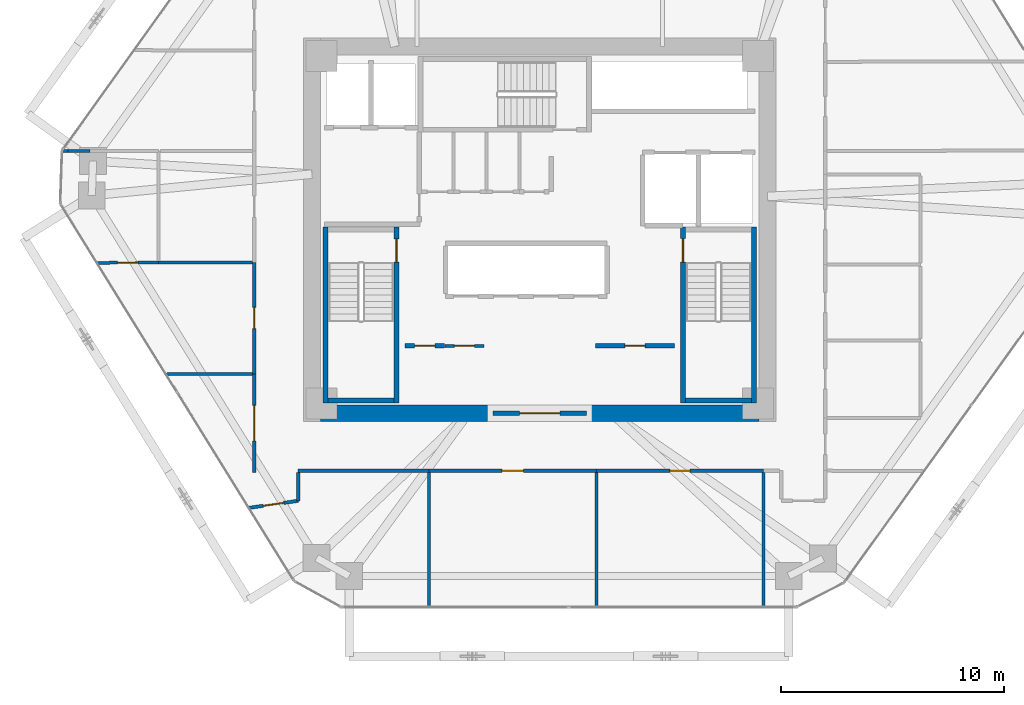
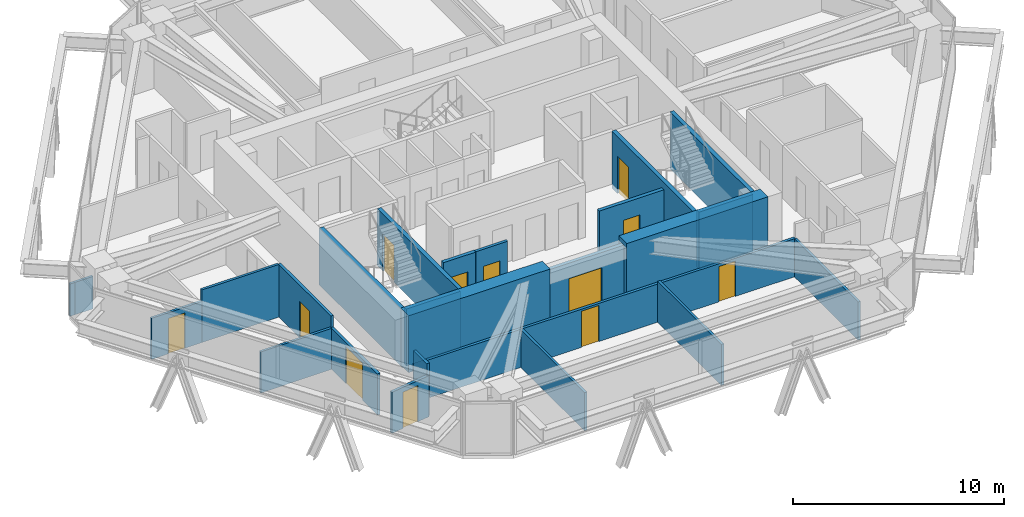
# One storey, part 12 of 16: 27 walls, 12 doors, 12 openings.
"""IFC4 building model written with IfcOpenShell, lengths in metres."""

import ifcopenshell
import ifcopenshell.guid

model = None  # the IFC model being written
_history = None  # IfcOwnerHistory: only IFC2X3 demands one
_inside = {}  # id of a spatial element -> (the spatial element, [elements in it])
_under = {}  # id of a project, library or spatial element -> (it, [spatial elements below it])
_declared = {}  # id of a project -> (the project, [libraries it declares])
_typed = {}  # id of a type object -> (the type object, [elements of that type])
_made_of = {}  # id of a material, layer set ... -> (it, [elements and type objects made of it])


def new_model(schema):
    """Start an empty IFC model of exactly this schema.

    Asked for "IFC4X3", IfcOpenShell would pick the latest addendum, in which some entities
    have other attributes; the version numbers below select the first issue.
    IFC2X3 requires an IfcOwnerHistory on every rooted entity: one is made here for all.
    """
    global model, _history
    if schema == "IFC4X3":
        model = ifcopenshell.file(schema_version=(4, 3, 0, 0))
    else:
        model = ifcopenshell.file(schema=schema)
    _inside.clear()
    _under.clear()
    _declared.clear()
    _typed.clear()
    _made_of.clear()
    _history = None
    if model.schema == "IFC2X3":
        org = make("IfcOrganization", Name="unknown")
        user = make(
            "IfcPersonAndOrganization",
            ThePerson=make("IfcPerson", FamilyName="unknown"),
            TheOrganization=org,
        )
        app = make(
            "IfcApplication",
            ApplicationDeveloper=org,
            Version="unknown",
            ApplicationFullName="unknown",
            ApplicationIdentifier="unknown",
        )
        _history = make(
            "IfcOwnerHistory",
            OwningUser=user,
            OwningApplication=app,
            ChangeAction="ADDED",
            CreationDate=0,
        )
    return model


def make(cls, **values):
    """One entity of the class cls with the attributes given. An attribute that is None is left unset."""
    return model.create_entity(
        cls, **{name: value for name, value in values.items() if value is not None}
    )


def rooted(cls, **values):
    """An entity with a GlobalId (a new one), such as an element, a storey or a relation."""
    return make(cls, GlobalId=ifcopenshell.guid.new(), OwnerHistory=_history, **values)


def si_unit(unit_type, name, prefix=None):
    """IfcSIUnit, for example si_unit("LENGTHUNIT", "METRE", prefix="MILLI")."""
    return make("IfcSIUnit", UnitType=unit_type, Prefix=prefix, Name=name)


def assignment(units):
    """IfcUnitAssignment: the units of a project."""
    return None if units is None else make("IfcUnitAssignment", Units=units)


def point(xyz):
    """IfcCartesianPoint."""
    return None if xyz is None else make("IfcCartesianPoint", Coordinates=xyz)


def direction(xyz):
    """IfcDirection."""
    return None if xyz is None else make("IfcDirection", DirectionRatios=xyz)


def frame(location, z_axis=None, x_axis=None):
    """IfcAxis2Placement3D, a coordinate frame: its origin and axes. An axis left out is left unset."""
    return make(
        "IfcAxis2Placement3D",
        Location=point(location),
        Axis=direction(z_axis),
        RefDirection=direction(x_axis),
    )


def frame_2d(location, x_axis=None):
    """IfcAxis2Placement2D, a coordinate frame in the plane: its origin and x axis."""
    return make(
        "IfcAxis2Placement2D", Location=point(location), RefDirection=direction(x_axis)
    )


def origin():
    """The frame at (0, 0, 0) with its axes left unset."""
    return frame((0.0, 0.0, 0.0))


def place(relative_to, where):
    """IfcLocalPlacement: puts the frame where relative to a parent placement (None: the world)."""
    return make(
        "IfcLocalPlacement", PlacementRelTo=relative_to, RelativePlacement=where
    )


def context(
    kind, dimensions, precision=None, world=None, true_north=None, identifier=None
):
    """IfcGeometricRepresentationContext, for example the 3D "Model" context."""
    return make(
        "IfcGeometricRepresentationContext",
        ContextIdentifier=identifier,
        ContextType=kind,
        CoordinateSpaceDimension=dimensions,
        Precision=precision,
        WorldCoordinateSystem=world,
        TrueNorth=true_north,
    )


def subcontext(parent, identifier, kind, view, scale=None):
    """IfcGeometricRepresentationSubContext, for example "Body" below "Model"."""
    return make(
        "IfcGeometricRepresentationSubContext",
        ContextIdentifier=identifier,
        ContextType=kind,
        ParentContext=parent,
        TargetScale=scale,
        TargetView=view,
    )


def project(units=None, contexts=None):
    """IfcProject with its units and contexts."""
    return rooted(
        "IfcProject",
        Name="project",
        RepresentationContexts=contexts,
        UnitsInContext=assignment(units),
    )


def spatial(cls, under=None, at=None, **own):
    """A site, building, storey or space (cls), placed at a placement, below another one or the project."""
    s = rooted(cls, ObjectPlacement=at, **own)
    if under is not None:
        _under.setdefault(under.id(), (under, []))[1].append(s)
    return s


def profile(cls, at=None, kind="AREA", **sizes):
    """A parametric profile (cls). Its sizes go by their IFC names, for example OverallWidth=200.0."""
    return make(cls, ProfileType=kind, Position=at, **sizes)


def rectangle(**sizes):
    """IfcRectangleProfileDef."""
    return profile("IfcRectangleProfileDef", **sizes)


def extrude(swept, where, along, depth):
    """IfcExtrudedAreaSolid: the profile swept, set in the frame where, extruded along a direction by depth."""
    return make(
        "IfcExtrudedAreaSolid",
        SweptArea=swept,
        Position=where,
        ExtrudedDirection=direction(along),
        Depth=depth,
    )


def shape(context_of_items, identifier, shape_type, items):
    """IfcShapeRepresentation: the items that make up one representation, for example the "Body"."""
    return make(
        "IfcShapeRepresentation",
        ContextOfItems=context_of_items,
        RepresentationIdentifier=identifier,
        RepresentationType=shape_type,
        Items=items,
    )


def source(mapping_origin, context_of_items, identifier, shape_type, items):
    """IfcRepresentationMap: a shape defined once, which mapped items show again and again."""
    return make(
        "IfcRepresentationMap",
        MappingOrigin=mapping_origin,
        MappedRepresentation=shape(context_of_items, identifier, shape_type, items),
    )


def transform(
    local_origin,
    x_axis=None,
    y_axis=None,
    z_axis=None,
    scale=None,
    scale2=None,
    scale3=None,
    uniform=True,
):
    """IfcCartesianTransformationOperator3D, or its non-uniform kind. x_axis, y_axis, z_axis: its Axis1, 2, 3."""
    if uniform:
        return make(
            "IfcCartesianTransformationOperator3D",
            Axis1=direction(x_axis),
            Axis2=direction(y_axis),
            LocalOrigin=point(local_origin),
            Scale=scale,
            Axis3=direction(z_axis),
        )
    return make(
        "IfcCartesianTransformationOperator3DnonUniform",
        Axis1=direction(x_axis),
        Axis2=direction(y_axis),
        LocalOrigin=point(local_origin),
        Scale=scale,
        Axis3=direction(z_axis),
        Scale2=scale2,
        Scale3=scale3,
    )


def mapped(mapping_source, mapping_target):
    """IfcMappedItem: shows the shape of a source again, moved by a transform."""
    return make(
        "IfcMappedItem", MappingSource=mapping_source, MappingTarget=mapping_target
    )


def material(Name=None, Category=None):
    """IfcMaterial."""
    return make("IfcMaterial", Name=Name, Category=Category)


def layer(
    of_material, thickness, ventilated=None, Name=None, Category=None, Priority=None
):
    """IfcMaterialLayer: one layer of a wall or slab, of a material (None: an air gap)."""
    return make(
        "IfcMaterialLayer",
        Material=of_material,
        LayerThickness=thickness,
        IsVentilated=ventilated,
        Name=Name,
        Category=Category,
        Priority=Priority,
    )


def layer_set(layers, Name=None):
    """IfcMaterialLayerSet."""
    return make("IfcMaterialLayerSet", MaterialLayers=layers, LayerSetName=Name)


def made_of(thing, what):
    """Note that an element or type object is made of a material, layer set ...; save() writes the relation."""
    if what is not None:
        _made_of.setdefault(what.id(), (what, []))[1].append(thing)
    return thing


def type_object(cls, material=None, **own):
    """A type object (cls), such as IfcWallType, which elements share."""
    return made_of(rooted(cls, **own), material)


def type_shapes(of_type, sources):
    """Give a type object the sources (RepresentationMaps) that its elements show as mapped items."""
    of_type.RepresentationMaps = sources


def element(
    cls,
    number,
    at=None,
    inside=None,
    cuts=None,
    type_object=None,
    material=None,
    context=None,
    identifier="Body",
    shape_type=None,
    held_by="IfcProductDefinitionShape",
    body=None,
    shapes=None,
    **own,
):
    """One element of the class cls, such as IfcWall. Its Tag is "e" and its number.

    at: its placement. inside: the storey or other place that contains it. cuts: it is an
    opening in that element (IfcRelVoidsElement). A single representation is given by context,
    identifier, shape_type and body (its items); several are given by shapes. held_by: the class
    of the entity that holds the representations. save() writes the other relations.
    """
    e = rooted(cls, Tag="e%d" % number, ObjectPlacement=at, **own)
    if body is not None:
        shapes = [shape(context, identifier, shape_type, body)]
    if shapes is not None:
        e.Representation = make(held_by, Representations=shapes)
    if inside is not None:
        _inside.setdefault(inside.id(), (inside, []))[1].append(e)
    if cuts is not None:
        rooted(
            "IfcRelVoidsElement", RelatingBuildingElement=cuts, RelatedOpeningElement=e
        )
    if type_object is not None:
        _typed.setdefault(type_object.id(), (type_object, []))[1].append(e)
    return made_of(e, material)


def fill(opening, filler):
    """IfcRelFillsElement: the door or window that sits in an opening."""
    return rooted(
        "IfcRelFillsElement",
        RelatingOpeningElement=opening,
        RelatedBuildingElement=filler,
    )


def aggregate(whole, parts):
    """IfcRelAggregates: a whole, such as a stair, and the parts it consists of."""
    return rooted("IfcRelAggregates", RelatingObject=whole, RelatedObjects=parts)


def save(model, path):
    """Write the relations noted so far, then the file.

    IfcRelAggregates (storeys below a building ...), IfcRelContainedInSpatialStructure (elements
    in a storey), IfcRelDefinesByType, IfcRelAssociatesMaterial and IfcRelDeclares: one each for
    every whole, place, type object, material and project.
    """
    for whole, parts in _under.values():
        aggregate(whole, parts)
    for where, things in _inside.values():
        rooted(
            "IfcRelContainedInSpatialStructure",
            RelatedElements=things,
            RelatingStructure=where,
        )
    for kind, things in _typed.values():
        rooted("IfcRelDefinesByType", RelatedObjects=things, RelatingType=kind)
    for what, things in _made_of.values():
        rooted("IfcRelAssociatesMaterial", RelatedObjects=things, RelatingMaterial=what)
    for by, libraries in _declared.values():
        rooted("IfcRelDeclares", RelatingContext=by, RelatedDefinitions=libraries)
    model.write(path)


model = new_model("IFC4")

# Units and contexts
model_context = context("Model", 3, precision=1e-05, world=origin(), true_north=direction((0.0, 1.0)))
body_context = subcontext(model_context, "Body", "Model", "MODEL_VIEW")
ifc_project = project(units=[si_unit("LENGTHUNIT", "METRE"), si_unit("AREAUNIT", "SQUARE_METRE"), si_unit("VOLUMEUNIT", "CUBIC_METRE"), si_unit("PLANEANGLEUNIT", "RADIAN"), si_unit("MASSUNIT", "GRAM", prefix="KILO")], contexts=[model_context])

# Site, building, storey
site_placement = place(None, origin())
site = spatial("IfcSite", under=ifc_project, at=site_placement, CompositionType="ELEMENT")
building_placement = place(site_placement, origin())
building = spatial("IfcBuilding", under=site, at=building_placement, Name="Durnholm Broadcast Tower", CompositionType="ELEMENT")
storey_placement = place(building_placement, frame((0.0, 0.0, 123.89990234375)))
storey = spatial("IfcBuildingStorey", under=building, at=storey_placement, Name="L33", CompositionType="ELEMENT", Elevation=123.89990234375)

# Walls
ifc_material_1 = material(Name="Concrete C70/85", Category="concrete")
ifc_layer_1 = layer(ifc_material_1, 0.75)
ifc_layer_set_1 = layer_set([ifc_layer_1], Name="Concrete C70/85")
wall_type_1 = type_object("IfcWallType", Name="WALL-CW-750", PredefinedType="SHEAR", material=ifc_layer_set_1)
for number, where, z_axis, x_axis, name in (
    (1, (-9.85009765625, -8.22509765625, 0.0), (0.0, 0.0, 1.0), (1.0, 0.0, 0.0), "L33 central core shear wall CW-S1"),
    (2, (2.10009765625, -8.22509765625, 0.0), (0.0, 0.0, 1.0), (1.0, 0.0, 0.0), "L33 central core shear wall CW-S2"),
):
    element("IfcWall", number, at=place(storey_placement, frame(where, z_axis=z_axis, x_axis=x_axis)), inside=storey, type_object=wall_type_1, Name=name, PredefinedType="SHEAR", context=body_context, shape_type="SweptSolid", body=[
        extrude(rectangle(XDim=7.75, YDim=0.75, at=frame_2d((3.875, 0.0))), origin(), (0.0, 0.0, 1.0), 3.300048828125),
    ])

# Wall, opening, door
ifc_material_2 = material(Name="Fire-Rated Gypsum Shaftwall", Category="concrete")
ifc_layer_2 = layer(ifc_material_2, 0.199951171875)
ifc_layer_set_2 = layer_set([ifc_layer_2], Name="Fire-Rated Gypsum Shaftwall")
wall_type_2 = type_object("IfcWallType", Name="WALL-LOB-200", PredefinedType="SOLIDWALL", material=ifc_layer_set_2)
wall_1_placement = place(storey_placement, frame((-2.10009765625, -8.22509765625, 0.0), z_axis=(0.0, 0.0, 1.0), x_axis=(1.0, 0.0, 0.0)))
wall_1 = element("IfcWall", 3, at=wall_1_placement, inside=storey, type_object=wall_type_2, Name="L33 south core lobby fire screen", PredefinedType="SOLIDWALL", context=body_context, shape_type="SweptSolid", body=[
    extrude(rectangle(XDim=4.2001953125, YDim=0.199951171875, at=frame_2d((2.10009765625, 0.0))), origin(), (0.0, 0.0, 1.0), 3.045166015625),
])
opening_1_placement = place(wall_1_placement, frame((1.199951171875, 0.0, 0.0)))
opening_1 = element("IfcOpeningElement", 4, at=opening_1_placement, cuts=wall_1, Name="Opening DP-60", PredefinedType="OPENING", context=body_context, shape_type="SweptSolid", body=[
    extrude(rectangle(XDim=1.800048828125, YDim=2.14990234375, at=frame_2d((0.89990234375, 1.074951171875))), frame((0.0, 0.10986328125, 0.0), z_axis=(0.0, -1.0, 0.0), x_axis=(1.0, 0.0, 0.0)), (0.0, 0.0, 1.0), 0.219970703125),
])
ifc_material_3 = material(Name="Fire-Rated Double Corridor Door", Category="steel")
ifc_layer_3 = layer(ifc_material_3, 0.050048828125)
ifc_layer_set_3 = layer_set([ifc_layer_3], Name="Fire-Rated Double Corridor Door")
door_type_1 = type_object("IfcDoorType", Name="DOOR-PAIR-FD60", OperationType="DOUBLE_DOOR_SINGLE_SWING", PredefinedType="DOOR", material=ifc_layer_set_3)
shared_shape_1 = source(origin(), body_context, "Body", "SweptSolid", [
    extrude(rectangle(XDim=1.800048828125, YDim=2.14990234375, at=frame_2d((0.89990234375, 1.074951171875))), frame((0.0, 0.02490234375, 0.0), z_axis=(0.0, -1.0, 0.0), x_axis=(1.0, 0.0, 0.0)), (0.0, 0.0, 1.0), 0.050048828125),
])
type_shapes(door_type_1, [shared_shape_1])
door_1_placement = place(opening_1_placement, origin())
door_1 = element("IfcDoor", 5, at=door_1_placement, inside=storey, type_object=door_type_1, Name="L33 south core lobby double fire door", OperationType="DOUBLE_DOOR_SINGLE_SWING", OverallHeight=2.14990234375, OverallWidth=1.800048828125, PredefinedType="DOOR", context=body_context, shape_type="MappedRepresentation", body=[
    mapped(shared_shape_1, transform((0.0, 0.0, 0.0), x_axis=(1.0, 0.0, 0.0), y_axis=(0.0, 1.0, 0.0), z_axis=(0.0, 0.0, 1.0), scale=1.0)),
])
fill(opening_1, door_1)

wall_2_placement = place(storey_placement, frame((-6.0400390625, -5.2099609375, 0.0), z_axis=(0.0, 0.0, 1.0), x_axis=(1.0, 0.0, 0.0)))
wall_2 = element("IfcWall", 6, at=wall_2_placement, inside=storey, type_object=wall_type_2, Name="L33 Media Fiber Patch Room corridor partition", PredefinedType="SOLIDWALL", context=body_context, shape_type="SweptSolid", body=[
    extrude(rectangle(XDim=1.760009765625, YDim=0.199951171875, at=frame_2d((0.8798828125, 0.0))), origin(), (0.0, 0.0, 1.0), 3.045166015625),
])
opening_2_placement = place(wall_2_placement, frame((0.429931640625, 0.0, 0.0)))
opening_2 = element("IfcOpeningElement", 7, at=opening_2_placement, cuts=wall_2, Name="Opening DC-60R", PredefinedType="OPENING", context=body_context, shape_type="SweptSolid", body=[
    extrude(rectangle(XDim=0.89990234375, YDim=2.050048828125, at=frame_2d((0.449951171875, 1.02490234375))), frame((0.0, 0.10986328125, 0.0), z_axis=(0.0, -1.0, 0.0), x_axis=(1.0, 0.0, 0.0)), (0.0, 0.0, 1.0), 0.219970703125),
])
ifc_material_4 = material(Name="Fire-Rated Core Service Door", Category="steel")
ifc_layer_4 = layer(ifc_material_4, 0.050048828125)
ifc_layer_set_4 = layer_set([ifc_layer_4], Name="Fire-Rated Core Service Door")
door_type_2 = type_object("IfcDoorType", Name="DOOR-CORE-FD60-R", OperationType="NOTDEFINED", PredefinedType="DOOR", material=ifc_layer_set_4)
shared_shape_2 = source(origin(), body_context, "Body", "SweptSolid", [
    extrude(rectangle(XDim=0.89990234375, YDim=2.050048828125, at=frame_2d((0.449951171875, 1.02490234375))), frame((0.0, 0.02490234375, 0.0), z_axis=(0.0, -1.0, 0.0), x_axis=(1.0, 0.0, 0.0)), (0.0, 0.0, 1.0), 0.050048828125),
])
type_shapes(door_type_2, [shared_shape_2])
door_2_placement = place(opening_2_placement, origin())
door_2 = element("IfcDoor", 8, at=door_2_placement, inside=storey, type_object=door_type_2, Name="L33 Media Fiber Patch Room entrance door", OperationType="SINGLE_SWING_RIGHT", OverallHeight=2.050048828125, OverallWidth=0.89990234375, PredefinedType="DOOR", context=body_context, shape_type="MappedRepresentation", body=[
    mapped(shared_shape_2, transform((0.0, 0.0, 0.0), x_axis=(1.0, 0.0, 0.0), y_axis=(0.0, 1.0, 0.0), z_axis=(0.0, 0.0, 1.0), scale=1.0)),
])
fill(opening_2, door_2)

wall_3_placement = place(storey_placement, frame((2.510009765625, -5.2099609375, 0.0), z_axis=(0.0, 0.0, 1.0), x_axis=(1.0, 0.0, 0.0)))
wall_3 = element("IfcWall", 9, at=wall_3_placement, inside=storey, type_object=wall_type_2, Name="L33 Telemetry Control Closet corridor partition", PredefinedType="SOLIDWALL", context=body_context, shape_type="SweptSolid", body=[
    extrude(rectangle(XDim=3.530029296875, YDim=0.199951171875, at=frame_2d((1.76513671875, 0.0))), origin(), (0.0, 0.0, 1.0), 3.045166015625),
])
opening_3_placement = place(wall_3_placement, frame((1.31494140625, 0.0, 0.0)))
opening_3 = element("IfcOpeningElement", 10, at=opening_3_placement, cuts=wall_3, Name="Opening DC-60R", PredefinedType="OPENING", context=body_context, shape_type="SweptSolid", body=[
    extrude(rectangle(XDim=0.89990234375, YDim=2.050048828125, at=frame_2d((0.449951171875, 1.02490234375))), frame((0.0, 0.10986328125, 0.0), z_axis=(0.0, -1.0, 0.0), x_axis=(1.0, 0.0, 0.0)), (0.0, 0.0, 1.0), 0.219970703125),
])
door_3_placement = place(opening_3_placement, origin())
door_3 = element("IfcDoor", 11, at=door_3_placement, inside=storey, type_object=door_type_2, Name="L33 Telemetry Control Closet entrance door", OperationType="SINGLE_SWING_RIGHT", OverallHeight=2.050048828125, OverallWidth=0.89990234375, PredefinedType="DOOR", context=body_context, shape_type="MappedRepresentation", body=[
    mapped(shared_shape_2, transform((0.0, 0.0, 0.0), x_axis=(1.0, 0.0, 0.0), y_axis=(0.0, 1.0, 0.0), z_axis=(0.0, 0.0, 1.0), scale=1.0)),
])
fill(opening_3, door_3)

# Walls
ifc_material_5 = material(Name="Gypsum Metal Stud Partition", Category="concrete")
ifc_layer_5 = layer(ifc_material_5, 0.135009765625)
ifc_layer_set_5 = layer_set([ifc_layer_5], Name="Gypsum Metal Stud Partition")
wall_type_3 = type_object("IfcWallType", Name="WALL-PART-135", PredefinedType="PARTITIONING", material=ifc_layer_set_5)
wall_4_placement = place(storey_placement, frame((-4.9599609375, -10.888916015625, 0.0), z_axis=(0.0, 0.0, 1.0), x_axis=(0.0, -1.0, 0.0)))
element("IfcWall", 12, at=wall_4_placement, inside=storey, type_object=wall_type_3, Name="L33 room dividing partition 17.18", PredefinedType="PARTITIONING", context=body_context, shape_type="SweptSolid", body=[
    extrude(rectangle(XDim=6.048095703125, YDim=0.135009765625, at=frame_2d((3.02392578125, 0.0))), origin(), (0.0, 0.0, 1.0), 2.212158203125),
])
wall_5_placement = place(storey_placement, frame((2.5400390625, -10.888916015625, 0.0), z_axis=(0.0, 0.0, 1.0), x_axis=(0.0, -1.0, 0.0)))
element("IfcWall", 13, at=wall_5_placement, inside=storey, type_object=wall_type_3, Name="L33 room dividing partition 18.19", PredefinedType="PARTITIONING", context=body_context, shape_type="SweptSolid", body=[
    extrude(rectangle(XDim=6.048095703125, YDim=0.135009765625, at=frame_2d((3.02392578125, 0.0))), origin(), (0.0, 0.0, 1.0), 2.380126953125),
])
wall_6_placement = place(storey_placement, frame((10.0400390625, -10.888916015625, 0.0), z_axis=(0.0, 0.0, 1.0), x_axis=(0.0, -1.0, 0.0)))
element("IfcWall", 14, at=wall_6_placement, inside=storey, type_object=wall_type_3, Name="L33 room dividing partition 19.20", PredefinedType="PARTITIONING", context=body_context, shape_type="SweptSolid", body=[
    extrude(rectangle(XDim=6.048095703125, YDim=0.135009765625, at=frame_2d((3.02392578125, 0.0))), origin(), (0.0, 0.0, 1.0), 2.212158203125),
])
wall_7_placement = place(storey_placement, frame((-16.774169921875, -6.481201171875, 0.0), z_axis=(0.0, 0.0, 1.0), x_axis=(0.999985736048, 0.005341132812, 0.0)))
element("IfcWall", 15, at=wall_7_placement, inside=storey, type_object=wall_type_3, Name="L33 room dividing partition 21.22", PredefinedType="PARTITIONING", context=body_context, shape_type="SweptSolid", body=[
    extrude(rectangle(XDim=3.88525390625, YDim=0.135009765625, at=frame_2d((1.942626953125, 0.0))), origin(), (0.0, 0.0, 1.0), 2.380126953125),
])

# Wall, opening, door
wall_8_placement = place(storey_placement, frame((-19.87548828125, -1.481201171875, 0.0), z_axis=(0.0, 0.0, 1.0), x_axis=(0.999970654695, 0.007660923473, 0.0)))
wall_8 = element("IfcWall", 16, at=wall_8_placement, inside=storey, type_object=wall_type_3, Name="L33 room dividing partition 22.23", PredefinedType="PARTITIONING", context=body_context, shape_type="SweptSolid", body=[
    extrude(rectangle(XDim=2.7724609375, YDim=0.135009765625, at=frame_2d((1.38623046875, 0.0))), origin(), (0.0, 0.0, 1.0), 2.380126953125),
])
opening_4_placement = place(wall_8_placement, frame((0.936279296875, 0.0, 0.0)))
opening_4 = element("IfcOpeningElement", 17, at=opening_4_placement, cuts=wall_8, Name="Opening DW-90L", PredefinedType="OPENING", context=body_context, shape_type="SweptSolid", body=[
    extrude(rectangle(XDim=0.89990234375, YDim=2.050048828125, at=frame_2d((0.449951171875, 1.02490234375))), frame((0.0, 0.07763671875, 0.0), z_axis=(0.0, -1.0, 0.0), x_axis=(1.0, 0.0, 0.0)), (0.0, 0.0, 1.0), 0.155029296875),
])
ifc_material_6 = material(Name="Laminate Restroom Door", Category="steel")
ifc_layer_6 = layer(ifc_material_6, 0.050048828125)
ifc_layer_set_6 = layer_set([ifc_layer_6], Name="Laminate Restroom Door")
door_type_3 = type_object("IfcDoorType", Name="DOOR-WC-900L", OperationType="NOTDEFINED", PredefinedType="DOOR", material=ifc_layer_set_6)
shared_shape_3 = source(origin(), body_context, "Body", "SweptSolid", [
    extrude(rectangle(XDim=0.89990234375, YDim=2.050048828125, at=frame_2d((0.449951171875, 1.02490234375))), frame((0.0, 0.02490234375, 0.0), z_axis=(0.0, -1.0, 0.0), x_axis=(1.0, 0.0, 0.0)), (0.0, 0.0, 1.0), 0.050048828125),
])
type_shapes(door_type_3, [shared_shape_3])
door_4_placement = place(opening_4_placement, origin())
door_4 = element("IfcDoor", 18, at=door_4_placement, inside=storey, type_object=door_type_3, Name="L33 Audio Lounge connecting door", OperationType="SINGLE_SWING_LEFT", OverallHeight=2.050048828125, OverallWidth=0.89990234375, PredefinedType="DOOR", context=body_context, shape_type="MappedRepresentation", body=[
    mapped(shared_shape_3, transform((0.0, 0.0, 0.0), x_axis=(1.0, 0.0, 0.0), y_axis=(0.0, 1.0, 0.0), z_axis=(0.0, 0.0, 1.0), scale=1.0)),
])
fill(opening_4, door_4)

# Walls
wall_9_placement = place(storey_placement, frame((-17.10302734375, -1.4599609375, 0.0), z_axis=(0.0, 0.0, 1.0), x_axis=(1.0, 0.0, 0.0)))
element("IfcWall", 19, at=wall_9_placement, inside=storey, type_object=wall_type_3, Name="L33 room dividing partition 22.24", PredefinedType="PARTITIONING", context=body_context, shape_type="SweptSolid", body=[
    extrude(rectangle(XDim=4.214111328125, YDim=0.135009765625, at=frame_2d((2.10693359375, 0.0))), origin(), (0.0, 0.0, 1.0), 3.045166015625),
])
wall_10_placement = place(storey_placement, frame((-21.435546875, 3.54150390625, 0.0), z_axis=(0.0, 0.0, 1.0), x_axis=(0.999999550774, -0.000947866873, 0.0)))
element("IfcWall", 20, at=wall_10_placement, inside=storey, type_object=wall_type_3, Name="L33 room dividing partition 23.25", PredefinedType="PARTITIONING", context=body_context, shape_type="SweptSolid", body=[
    extrude(rectangle(XDim=0.257568359375, YDim=0.135009765625, at=frame_2d((0.12890625, 0.0))), origin(), (0.0, 0.0, 1.0), 1.877197265625),
])
wall_11_placement = place(storey_placement, frame((-21.177978515625, 3.541259765625, 0.0), z_axis=(0.0, 0.0, 1.0), x_axis=(0.999999970372, -0.000243427451, 0.0)))
element("IfcWall", 21, at=wall_11_placement, inside=storey, type_object=wall_type_3, Name="L33 room dividing partition 23.25", PredefinedType="PARTITIONING", context=body_context, shape_type="SweptSolid", body=[
    extrude(rectangle(XDim=1.0029296875, YDim=0.135009765625, at=frame_2d((0.50146484375, 0.0))), origin(), (0.0, 0.0, 1.0), 1.877197265625),
])

# Wall, opening, door
ifc_material_7 = material(Name="Acoustic Gypsum Stud Partition", Category="concrete")
ifc_layer_7 = layer(ifc_material_7, 0.14990234375)
ifc_layer_set_7 = layer_set([ifc_layer_7], Name="Acoustic Gypsum Stud Partition")
wall_type_4 = type_object("IfcWallType", Name="WALL-PART-150", PredefinedType="PARTITIONING", material=ifc_layer_set_7)
wall_12_placement = place(storey_placement, frame((-4.260009765625, -5.2099609375, 0.0), z_axis=(0.0, 0.0, 1.0), x_axis=(1.0, 0.0, 0.0)))
wall_12 = element("IfcWall", 22, at=wall_12_placement, inside=storey, type_object=wall_type_4, Name="L33 Copy and Print Room corridor partition", PredefinedType="PARTITIONING", context=body_context, shape_type="SweptSolid", body=[
    extrude(rectangle(XDim=1.75, YDim=0.14990234375, at=frame_2d((0.875, 0.0))), origin(), (0.0, 0.0, 1.0), 3.045166015625),
])
opening_5_placement = place(wall_12_placement, frame((0.425048828125, 0.0, 0.0)))
opening_5 = element("IfcOpeningElement", 23, at=opening_5_placement, cuts=wall_12, Name="Opening DC-60L", PredefinedType="OPENING", context=body_context, shape_type="SweptSolid", body=[
    extrude(rectangle(XDim=0.89990234375, YDim=2.050048828125, at=frame_2d((0.449951171875, 1.02490234375))), frame((0.0, 0.0849609375, 0.0), z_axis=(0.0, -1.0, 0.0), x_axis=(1.0, 0.0, 0.0)), (0.0, 0.0, 1.0), 0.169921875),
])
ifc_layer_8 = layer(ifc_material_4, 0.050048828125)
ifc_layer_set_8 = layer_set([ifc_layer_8], Name="Fire-Rated Core Service Door")
door_type_4 = type_object("IfcDoorType", Name="DOOR-CORE-FD60-L", OperationType="NOTDEFINED", PredefinedType="DOOR", material=ifc_layer_set_8)
shared_shape_4 = source(origin(), body_context, "Body", "SweptSolid", [
    extrude(rectangle(XDim=0.89990234375, YDim=2.050048828125, at=frame_2d((0.449951171875, 1.02490234375))), frame((0.0, 0.02490234375, 0.0), z_axis=(0.0, -1.0, 0.0), x_axis=(1.0, 0.0, 0.0)), (0.0, 0.0, 1.0), 0.050048828125),
])
type_shapes(door_type_4, [shared_shape_4])
door_5_placement = place(opening_5_placement, origin())
door_5 = element("IfcDoor", 24, at=door_5_placement, inside=storey, type_object=door_type_4, Name="L33 Copy and Print Room entrance door", OperationType="SINGLE_SWING_LEFT", OverallHeight=2.050048828125, OverallWidth=0.89990234375, PredefinedType="DOOR", context=body_context, shape_type="MappedRepresentation", body=[
    mapped(shared_shape_4, transform((0.0, 0.0, 0.0), x_axis=(1.0, 0.0, 0.0), y_axis=(0.0, 1.0, 0.0), z_axis=(0.0, 0.0, 1.0), scale=1.0)),
])
fill(opening_5, door_5)

# Wall
wall_13_placement = place(storey_placement, frame((-10.840087890625, -10.81005859375, 0.0), z_axis=(0.0, 0.0, 1.0), x_axis=(1.0, 0.0, 0.0)))
element("IfcWall", 25, at=wall_13_placement, inside=storey, type_object=wall_type_4, Name="L33 Broadcast Kitchen corridor partition", PredefinedType="PARTITIONING", context=body_context, shape_type="SweptSolid", body=[
    extrude(rectangle(XDim=5.880126953125, YDim=0.14990234375, at=frame_2d((2.93994140625, 0.0))), origin(), (0.0, 0.0, 1.0), 2.212158203125),
])

# Wall, opening, door
wall_14_placement = place(storey_placement, frame((-13.053955078125, -12.478759765625, 0.0), z_axis=(0.0, 0.0, 1.0), x_axis=(0.989787303338, 0.142552075227, 0.0)))
wall_14 = element("IfcWall", 26, at=wall_14_placement, inside=storey, type_object=wall_type_4, Name="L33 Broadcast Kitchen corridor partition", PredefinedType="PARTITIONING", context=body_context, shape_type="SweptSolid", body=[
    extrude(rectangle(XDim=2.23681640625, YDim=0.14990234375, at=frame_2d((1.118408203125, 0.0))), origin(), (0.0, 0.0, 1.0), 2.380126953125),
])
opening_6_placement = place(wall_14_placement, frame((0.658447265625, 0.0, 0.0)))
opening_6 = element("IfcOpeningElement", 27, at=opening_6_placement, cuts=wall_14, Name="Opening DR-92R", PredefinedType="OPENING", context=body_context, shape_type="SweptSolid", body=[
    extrude(rectangle(XDim=0.919921875, YDim=2.10009765625, at=frame_2d((0.4599609375, 1.050048828125))), frame((0.0, 0.0849609375, 0.0), z_axis=(0.0, -1.0, 0.0), x_axis=(1.0, 0.0, 0.0)), (0.0, 0.0, 1.0), 0.169921875),
])
ifc_material_8 = material(Name="Oak Veneer Office Door", Category="wood")
ifc_layer_9 = layer(ifc_material_8, 0.050048828125)
ifc_layer_set_9 = layer_set([ifc_layer_9], Name="Oak Veneer Office Door")
door_type_5 = type_object("IfcDoorType", Name="DOOR-RM-920R", OperationType="NOTDEFINED", PredefinedType="DOOR", material=ifc_layer_set_9)
shared_shape_5 = source(origin(), body_context, "Body", "SweptSolid", [
    extrude(rectangle(XDim=0.919921875, YDim=2.10009765625, at=frame_2d((0.4599609375, 1.050048828125))), frame((0.0, 0.02490234375, 0.0), z_axis=(0.0, -1.0, 0.0), x_axis=(1.0, 0.0, 0.0)), (0.0, 0.0, 1.0), 0.050048828125),
])
type_shapes(door_type_5, [shared_shape_5])
door_6_placement = place(opening_6_placement, origin())
door_6 = element("IfcDoor", 28, at=door_6_placement, inside=storey, type_object=door_type_5, Name="L33 Broadcast Kitchen entrance door", OperationType="SINGLE_SWING_RIGHT", OverallHeight=2.10009765625, OverallWidth=0.919921875, PredefinedType="DOOR", context=body_context, shape_type="MappedRepresentation", body=[
    mapped(shared_shape_5, transform((0.0, 0.0, 0.0), x_axis=(1.0, 0.0, 0.0), y_axis=(0.0, 1.0, 0.0), z_axis=(0.0, 0.0, 1.0), scale=1.0)),
])
fill(opening_6, door_6)

# Wall
wall_15_placement = place(storey_placement, frame((-10.840087890625, -12.159912109375, 0.0), z_axis=(0.0, 0.0, 1.0), x_axis=(0.0, 1.0, 0.0)))
element("IfcWall", 29, at=wall_15_placement, inside=storey, type_object=wall_type_4, Name="L33 Broadcast Kitchen corridor partition", PredefinedType="PARTITIONING", context=body_context, shape_type="SweptSolid", body=[
    extrude(rectangle(XDim=1.27099609375, YDim=0.14990234375, at=frame_2d((0.635498046875, 0.0))), origin(), (0.0, 0.0, 1.0), 3.045166015625),
])

# Wall, opening, door
wall_16_placement = place(storey_placement, frame((-4.9599609375, -10.81005859375, 0.0), z_axis=(0.0, 0.0, 1.0), x_axis=(1.0, 0.0, 0.0)))
wall_16 = element("IfcWall", 30, at=wall_16_placement, inside=storey, type_object=wall_type_4, Name="L33 Sound Effects Lounge corridor partition", PredefinedType="PARTITIONING", context=body_context, shape_type="SweptSolid", body=[
    extrude(rectangle(XDim=7.5, YDim=0.14990234375, at=frame_2d((3.75, 0.0))), origin(), (0.0, 0.0, 1.0), 2.212158203125),
])
opening_7_placement = place(wall_16_placement, frame((3.27490234375, 0.0, 0.0)))
opening_7 = element("IfcOpeningElement", 31, at=opening_7_placement, cuts=wall_16, Name="Opening DR-95L", PredefinedType="OPENING", context=body_context, shape_type="SweptSolid", body=[
    extrude(rectangle(XDim=0.949951171875, YDim=2.10009765625, at=frame_2d((0.47509765625, 1.050048828125))), frame((0.0, 0.0849609375, 0.0), z_axis=(0.0, -1.0, 0.0), x_axis=(1.0, 0.0, 0.0)), (0.0, 0.0, 1.0), 0.169921875),
])
ifc_material_9 = material(Name="Acoustic Oak Veneer Timber Door", Category="wood")
ifc_layer_10 = layer(ifc_material_9, 0.050048828125)
ifc_layer_set_10 = layer_set([ifc_layer_10], Name="Acoustic Oak Veneer Timber Door")
door_type_6 = type_object("IfcDoorType", Name="DOOR-RM-950L", OperationType="NOTDEFINED", PredefinedType="DOOR", material=ifc_layer_set_10)
shared_shape_6 = source(origin(), body_context, "Body", "SweptSolid", [
    extrude(rectangle(XDim=0.949951171875, YDim=2.10009765625, at=frame_2d((0.47509765625, 1.050048828125))), frame((0.0, 0.02490234375, 0.0), z_axis=(0.0, -1.0, 0.0), x_axis=(1.0, 0.0, 0.0)), (0.0, 0.0, 1.0), 0.050048828125),
])
type_shapes(door_type_6, [shared_shape_6])
door_7_placement = place(opening_7_placement, origin())
door_7 = element("IfcDoor", 32, at=door_7_placement, inside=storey, type_object=door_type_6, Name="L33 Sound Effects Lounge entrance door", OperationType="SINGLE_SWING_LEFT", OverallHeight=2.10009765625, OverallWidth=0.949951171875, PredefinedType="DOOR", context=body_context, shape_type="MappedRepresentation", body=[
    mapped(shared_shape_6, transform((0.0, 0.0, 0.0), x_axis=(1.0, 0.0, 0.0), y_axis=(0.0, 1.0, 0.0), z_axis=(0.0, 0.0, 1.0), scale=1.0)),
])
fill(opening_7, door_7)

wall_17_placement = place(storey_placement, frame((2.5400390625, -10.81005859375, 0.0), z_axis=(0.0, 0.0, 1.0), x_axis=(1.0, 0.0, 0.0)))
wall_17 = element("IfcWall", 33, at=wall_17_placement, inside=storey, type_object=wall_type_4, Name="L33 Music Library Store corridor partition", PredefinedType="PARTITIONING", context=body_context, shape_type="SweptSolid", body=[
    extrude(rectangle(XDim=7.5, YDim=0.14990234375, at=frame_2d((3.75, 0.0))), origin(), (0.0, 0.0, 1.0), 2.212158203125),
])
opening_8_placement = place(wall_17_placement, frame((3.300048828125, 0.0, 0.0)))
opening_8 = element("IfcOpeningElement", 34, at=opening_8_placement, cuts=wall_17, Name="Opening DC-60R", PredefinedType="OPENING", context=body_context, shape_type="SweptSolid", body=[
    extrude(rectangle(XDim=0.89990234375, YDim=2.050048828125, at=frame_2d((0.449951171875, 1.02490234375))), frame((0.0, 0.0849609375, 0.0), z_axis=(0.0, -1.0, 0.0), x_axis=(1.0, 0.0, 0.0)), (0.0, 0.0, 1.0), 0.169921875),
])
door_8_placement = place(opening_8_placement, origin())
door_8 = element("IfcDoor", 35, at=door_8_placement, inside=storey, type_object=door_type_2, Name="L33 Music Library Store entrance door", OperationType="SINGLE_SWING_RIGHT", OverallHeight=2.050048828125, OverallWidth=0.89990234375, PredefinedType="DOOR", context=body_context, shape_type="MappedRepresentation", body=[
    mapped(shared_shape_2, transform((0.0, 0.0, 0.0), x_axis=(1.0, 0.0, 0.0), y_axis=(0.0, 1.0, 0.0), z_axis=(0.0, 0.0, 1.0), scale=1.0)),
])
fill(opening_8, door_8)

wall_18_placement = place(storey_placement, frame((-12.81005859375, -6.4599609375, 0.0), z_axis=(0.0, 0.0, 1.0), x_axis=(0.0, -1.0, 0.0)))
wall_18 = element("IfcWall", 36, at=wall_18_placement, inside=storey, type_object=wall_type_4, Name="L33 Mastering Screening Auditorium corridor partition", PredefinedType="PARTITIONING", context=body_context, shape_type="SweptSolid", body=[
    extrude(rectangle(XDim=4.429931640625, YDim=0.14990234375, at=frame_2d((2.21484375, 0.0))), origin(), (0.0, 0.0, 1.0), 2.380126953125),
])
opening_9_placement = place(wall_18_placement, frame((1.4150390625, 0.0, 0.0)))
opening_9 = element("IfcOpeningElement", 37, at=opening_9_placement, cuts=wall_18, Name="Opening DST-160", PredefinedType="OPENING", context=body_context, shape_type="SweptSolid", body=[
    extrude(rectangle(XDim=1.60009765625, YDim=2.14990234375, at=frame_2d((0.800048828125, 1.074951171875))), frame((0.0, 0.0849609375, 0.0), z_axis=(0.0, -1.0, 0.0), x_axis=(1.0, 0.0, 0.0)), (0.0, 0.0, 1.0), 0.169921875),
])
ifc_material_10 = material(Name="Acoustic Broadcast Studio Sound-Lock Door", Category="steel")
ifc_layer_11 = layer(ifc_material_10, 0.050048828125)
ifc_layer_set_11 = layer_set([ifc_layer_11], Name="Acoustic Broadcast Studio Sound-Lock Door")
door_type_7 = type_object("IfcDoorType", Name="DOOR-STU-1600", OperationType="DOUBLE_DOOR_SINGLE_SWING", PredefinedType="DOOR", material=ifc_layer_set_11)
shared_shape_7 = source(origin(), body_context, "Body", "SweptSolid", [
    extrude(rectangle(XDim=1.60009765625, YDim=2.14990234375, at=frame_2d((0.800048828125, 1.074951171875))), frame((0.0, 0.02490234375, 0.0), z_axis=(0.0, -1.0, 0.0), x_axis=(1.0, 0.0, 0.0)), (0.0, 0.0, 1.0), 0.050048828125),
])
type_shapes(door_type_7, [shared_shape_7])
door_9_placement = place(opening_9_placement, origin())
door_9 = element("IfcDoor", 38, at=door_9_placement, inside=storey, type_object=door_type_7, Name="L33 Mastering Screening Auditorium entrance door", OperationType="DOUBLE_DOOR_SINGLE_SWING", OverallHeight=2.14990234375, OverallWidth=1.60009765625, PredefinedType="DOOR", context=body_context, shape_type="MappedRepresentation", body=[
    mapped(shared_shape_7, transform((0.0, 0.0, 0.0), x_axis=(1.0, 0.0, 0.0), y_axis=(0.0, 1.0, 0.0), z_axis=(0.0, 0.0, 1.0), scale=1.0)),
])
fill(opening_9, door_9)

wall_19_placement = place(storey_placement, frame((-12.81005859375, -1.4599609375, 0.0), z_axis=(0.0, 0.0, 1.0), x_axis=(0.0, -1.0, 0.0)))
wall_19 = element("IfcWall", 39, at=wall_19_placement, inside=storey, type_object=wall_type_4, Name="L33 Podcast Dining Room corridor partition", PredefinedType="PARTITIONING", context=body_context, shape_type="SweptSolid", body=[
    extrude(rectangle(XDim=5.0, YDim=0.14990234375, at=frame_2d((2.5, 0.0))), origin(), (0.0, 0.0, 1.0), 3.045166015625),
])
opening_10_placement = place(wall_19_placement, frame((2.02490234375, 0.0, 0.0)))
opening_10 = element("IfcOpeningElement", 40, at=opening_10_placement, cuts=wall_19, Name="Opening DR-95L", PredefinedType="OPENING", context=body_context, shape_type="SweptSolid", body=[
    extrude(rectangle(XDim=0.949951171875, YDim=2.10009765625, at=frame_2d((0.47509765625, 1.050048828125))), frame((0.0, 0.0849609375, 0.0), z_axis=(0.0, -1.0, 0.0), x_axis=(1.0, 0.0, 0.0)), (0.0, 0.0, 1.0), 0.169921875),
])
door_10_placement = place(opening_10_placement, origin())
door_10 = element("IfcDoor", 41, at=door_10_placement, inside=storey, type_object=door_type_6, Name="L33 Podcast Dining Room entrance door", OperationType="SINGLE_SWING_LEFT", OverallHeight=2.10009765625, OverallWidth=0.949951171875, PredefinedType="DOOR", context=body_context, shape_type="MappedRepresentation", body=[
    mapped(shared_shape_6, transform((0.0, 0.0, 0.0), x_axis=(1.0, 0.0, 0.0), y_axis=(0.0, 1.0, 0.0), z_axis=(0.0, 0.0, 1.0), scale=1.0)),
])
fill(opening_10, door_10)

ifc_material_11 = material(Name="Concrete C50/60", Category="concrete")
ifc_layer_12 = layer(ifc_material_11, 0.219970703125)
ifc_layer_set_12 = layer_set([ifc_layer_12], Name="Concrete C50/60")
wall_type_5 = type_object("IfcWallType", Name="WALL-SW-220", PredefinedType="SHEAR", material=ifc_layer_set_12)
wall_20_placement = place(storey_placement, frame((-6.429931640625, -7.77001953125, -0.239990234375), z_axis=(0.0, 0.0, 1.0), x_axis=(0.0, 1.0, 0.0)))
wall_20 = element("IfcWall", 42, at=wall_20_placement, inside=storey, type_object=wall_type_5, Name="L33 stair ST-1 structural shaft wall E", PredefinedType="SHEAR", context=body_context, shape_type="SweptSolid", body=[
    extrude(rectangle(XDim=7.89013671875, YDim=0.219970703125, at=frame_2d((3.945068359375, 0.0))), origin(), (0.0, 0.0, 1.0), 3.300048828125),
])
opening_11_placement = place(wall_20_placement, frame((6.320068359375, 0.0, 0.0)))
opening_11 = element("IfcOpeningElement", 43, at=opening_11_placement, cuts=wall_20, Name="Opening DS-90L", PredefinedType="OPENING", context=body_context, shape_type="SweptSolid", body=[
    extrude(rectangle(XDim=1.050048828125, YDim=2.14990234375, at=frame_2d((0.52490234375, 1.074951171875))), frame((0.0, 0.1201171875, 0.0), z_axis=(0.0, -1.0, 0.0), x_axis=(1.0, 0.0, 0.0)), (0.0, 0.0, 1.0), 0.239990234375),
])
ifc_material_12 = material(Name="Fire-Rated Steel Door", Category="steel")
ifc_layer_13 = layer(ifc_material_12, 0.050048828125)
ifc_layer_set_13 = layer_set([ifc_layer_13], Name="Fire-Rated Steel Door")
door_type_8 = type_object("IfcDoorType", Name="DOOR-ST-FD90-L", OperationType="NOTDEFINED", PredefinedType="DOOR", material=ifc_layer_set_13)
shared_shape_8 = source(origin(), body_context, "Body", "SweptSolid", [
    extrude(rectangle(XDim=1.050048828125, YDim=2.14990234375, at=frame_2d((0.52490234375, 1.074951171875))), frame((0.0, 0.02490234375, 0.0), z_axis=(0.0, -1.0, 0.0), x_axis=(1.0, 0.0, 0.0)), (0.0, 0.0, 1.0), 0.050048828125),
])
type_shapes(door_type_8, [shared_shape_8])
door_11_placement = place(opening_11_placement, origin())
door_11 = element("IfcDoor", 44, at=door_11_placement, inside=storey, type_object=door_type_8, Name="L33 exit stair ST-1 fire door", OperationType="SINGLE_SWING_LEFT", OverallHeight=2.14990234375, OverallWidth=1.050048828125, PredefinedType="DOOR", context=body_context, shape_type="MappedRepresentation", body=[
    mapped(shared_shape_8, transform((0.0, 0.0, 0.0), x_axis=(1.0, 0.0, 0.0), y_axis=(0.0, 1.0, 0.0), z_axis=(0.0, 0.0, 1.0), scale=1.0)),
])
fill(opening_11, door_11)

# Walls
wall_21_placement = place(storey_placement, frame((-9.610107421875, 0.1201171875, -0.239990234375), z_axis=(0.0, 0.0, 1.0), x_axis=(0.0, -1.0, 0.0)))
element("IfcWall", 45, at=wall_21_placement, inside=storey, type_object=wall_type_5, Name="L33 stair ST-1 structural shaft wall W", PredefinedType="SHEAR", context=body_context, shape_type="SweptSolid", body=[
    extrude(rectangle(XDim=7.89013671875, YDim=0.219970703125, at=frame_2d((3.945068359375, 0.0))), origin(), (0.0, 0.0, 1.0), 3.300048828125),
])
wall_22_placement = place(storey_placement, frame((-9.5, -7.659912109375, -0.239990234375), z_axis=(0.0, 0.0, 1.0), x_axis=(1.0, 0.0, 0.0)))
element("IfcWall", 46, at=wall_22_placement, inside=storey, type_object=wall_type_5, Name="L33 stair ST-1 structural shaft wall S", PredefinedType="SHEAR", context=body_context, shape_type="SweptSolid", body=[
    extrude(rectangle(XDim=2.9599609375, YDim=0.219970703125, at=frame_2d((1.47998046875, 0.0))), origin(), (0.0, 0.0, 1.0), 3.300048828125),
])
wall_23_placement = place(storey_placement, frame((9.610107421875, -7.77001953125, -0.239990234375), z_axis=(0.0, 0.0, 1.0), x_axis=(0.0, 1.0, 0.0)))
element("IfcWall", 47, at=wall_23_placement, inside=storey, type_object=wall_type_5, Name="L33 stair ST-2 structural shaft wall E", PredefinedType="SHEAR", context=body_context, shape_type="SweptSolid", body=[
    extrude(rectangle(XDim=7.89013671875, YDim=0.219970703125, at=frame_2d((3.945068359375, 0.0))), origin(), (0.0, 0.0, 1.0), 3.300048828125),
])

# Wall, opening, door
wall_24_placement = place(storey_placement, frame((6.429931640625, 0.1201171875, -0.239990234375), z_axis=(0.0, 0.0, 1.0), x_axis=(0.0, -1.0, 0.0)))
wall_24 = element("IfcWall", 48, at=wall_24_placement, inside=storey, type_object=wall_type_5, Name="L33 stair ST-2 structural shaft wall W", PredefinedType="SHEAR", context=body_context, shape_type="SweptSolid", body=[
    extrude(rectangle(XDim=7.89013671875, YDim=0.219970703125, at=frame_2d((3.945068359375, 0.0))), origin(), (0.0, 0.0, 1.0), 3.300048828125),
])
opening_12_placement = place(wall_24_placement, frame((0.52001953125, 0.0, 0.0)))
opening_12 = element("IfcOpeningElement", 49, at=opening_12_placement, cuts=wall_24, Name="Opening DS-90R", PredefinedType="OPENING", context=body_context, shape_type="SweptSolid", body=[
    extrude(rectangle(XDim=1.050048828125, YDim=2.14990234375, at=frame_2d((0.52490234375, 1.074951171875))), frame((0.0, 0.1201171875, 0.0), z_axis=(0.0, -1.0, 0.0), x_axis=(1.0, 0.0, 0.0)), (0.0, 0.0, 1.0), 0.239990234375),
])
ifc_layer_14 = layer(ifc_material_12, 0.050048828125)
ifc_layer_set_14 = layer_set([ifc_layer_14], Name="Fire-Rated Steel Door")
door_type_9 = type_object("IfcDoorType", Name="DOOR-ST-FD90-R", OperationType="NOTDEFINED", PredefinedType="DOOR", material=ifc_layer_set_14)
shared_shape_9 = source(origin(), body_context, "Body", "SweptSolid", [
    extrude(rectangle(XDim=1.050048828125, YDim=2.14990234375, at=frame_2d((0.52490234375, 1.074951171875))), frame((0.0, 0.02490234375, 0.0), z_axis=(0.0, -1.0, 0.0), x_axis=(1.0, 0.0, 0.0)), (0.0, 0.0, 1.0), 0.050048828125),
])
type_shapes(door_type_9, [shared_shape_9])
door_12_placement = place(opening_12_placement, origin())
door_12 = element("IfcDoor", 50, at=door_12_placement, inside=storey, type_object=door_type_9, Name="L33 exit stair ST-2 fire door", OperationType="SINGLE_SWING_RIGHT", OverallHeight=2.14990234375, OverallWidth=1.050048828125, PredefinedType="DOOR", context=body_context, shape_type="MappedRepresentation", body=[
    mapped(shared_shape_9, transform((0.0, 0.0, 0.0), x_axis=(1.0, 0.0, 0.0), y_axis=(0.0, 1.0, 0.0), z_axis=(0.0, 0.0, 1.0), scale=1.0)),
])
fill(opening_12, door_12)

# Wall
wall_25_placement = place(storey_placement, frame((6.5400390625, -7.659912109375, -0.239990234375), z_axis=(0.0, 0.0, 1.0), x_axis=(1.0, 0.0, 0.0)))
element("IfcWall", 51, at=wall_25_placement, inside=storey, type_object=wall_type_5, Name="L33 stair ST-2 structural shaft wall S", PredefinedType="SHEAR", context=body_context, shape_type="SweptSolid", body=[
    extrude(rectangle(XDim=2.9599609375, YDim=0.219970703125, at=frame_2d((1.47998046875, 0.0))), origin(), (0.0, 0.0, 1.0), 3.300048828125),
])

save(model, "model.ifc")
